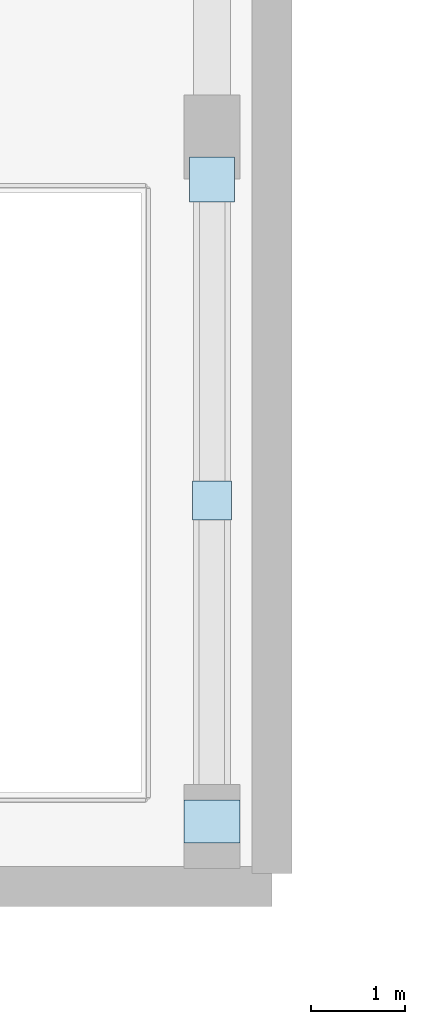
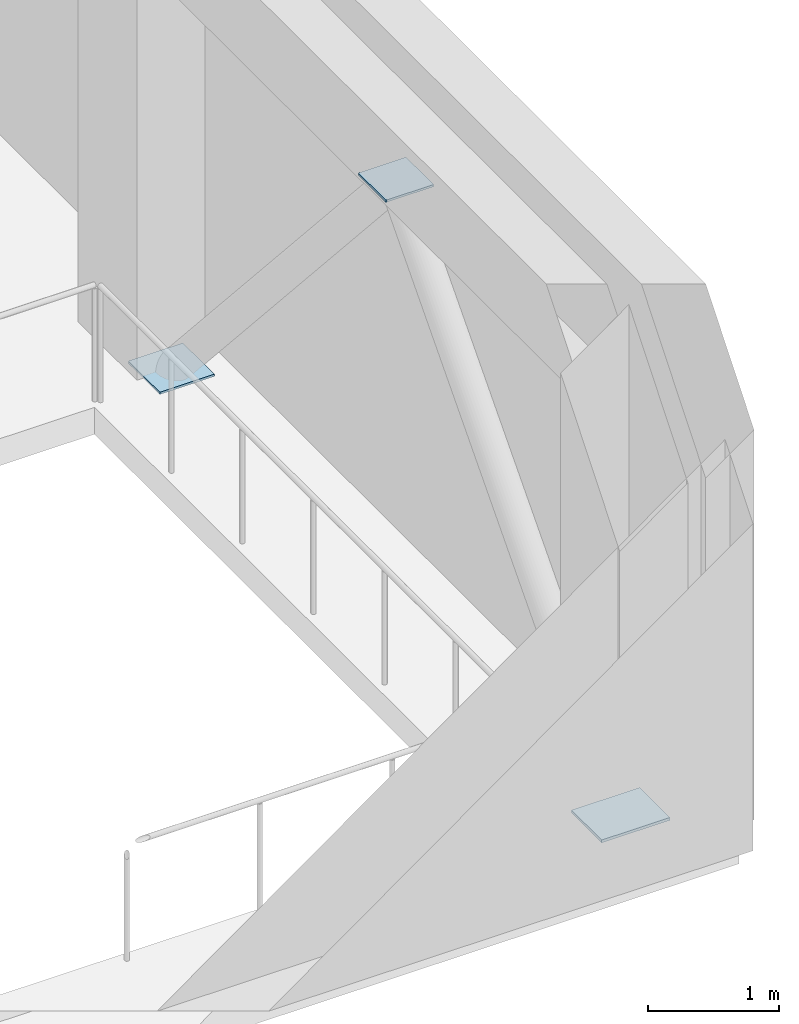
# One storey, part 37 of 64: 3 plates.
"""IFC4 building model written with IfcOpenShell, lengths in metres."""

from ifc_helpers import new_model, si_unit, direction, frame, origin, origin_2d, place, context, subcontext, project, spatial, rectangle, extrude, material, layer, layer_set, type_object, element, save


model = new_model("IFC4")

# Units and contexts
model_context = context("Model", 3, precision=1e-05, world=origin(), true_north=direction((0.0, 1.0)))
body_context = subcontext(model_context, "Body", "Model", "MODEL_VIEW")
ifc_project = project(units=[si_unit("LENGTHUNIT", "METRE"), si_unit("AREAUNIT", "SQUARE_METRE"), si_unit("VOLUMEUNIT", "CUBIC_METRE"), si_unit("PLANEANGLEUNIT", "RADIAN"), si_unit("MASSUNIT", "GRAM", prefix="KILO")], contexts=[model_context])

# Site, building, storey
site_placement = place(None, origin())
site = spatial("IfcSite", under=ifc_project, at=site_placement, CompositionType="ELEMENT")
building_placement = place(site_placement, origin())
building = spatial("IfcBuilding", under=site, at=building_placement, Name="Cinchona Park Media Centre", CompositionType="ELEMENT")
storey_placement = place(building_placement, frame((0.0, 0.0, 5.39990234375)))
storey = spatial("IfcBuildingStorey", under=building, at=storey_placement, Name="L01", CompositionType="ELEMENT", Elevation=5.39990234375)

# Plates
ifc_material_1 = material(Name="Steel S355", Category="steel")
ifc_layer_1 = layer(ifc_material_1, 0.02001953125)
ifc_layer_set_1 = layer_set([ifc_layer_1], Name="Steel S355")
plate_type_1 = type_object("IfcPlateType", Name="PLATE-GP01", PredefinedType="USERDEFINED", material=ifc_layer_set_1)
plate_1_placement = place(storey_placement, frame((45.360107421875, 106.1201171875, 3.830078125), z_axis=(0.0, 0.0, 1.0), x_axis=(1.0, 0.0, 0.0)))
element("IfcPlate", 1, at=plate_1_placement, inside=storey, type_object=plate_type_1, Name="Truss Node Gusset Plate TN2", ObjectType="GUSSET PLATE", PredefinedType="USERDEFINED", context=body_context, shape_type="SweptSolid", body=[
    extrude(rectangle(XDim=0.419921875, YDim=0.419921875, at=origin_2d()), origin(), (0.0, 0.0, 1.0), 0.02001953125),
])
ifc_material_2 = material(Name="Steel S355", Category="steel")
ifc_layer_2 = layer(ifc_material_2, 0.02197265625)
ifc_layer_set_2 = layer_set([ifc_layer_2], Name="Steel S355")
plate_type_2 = type_object("IfcPlateType", Name="PLATE-GP02", PredefinedType="USERDEFINED", material=ifc_layer_set_2)
plate_2_placement = place(storey_placement, frame((45.360107421875, 109.544921875, -0.005859375), z_axis=(0.0, 0.0, 1.0), x_axis=(1.0, 0.0, 0.0)))
element("IfcPlate", 2, at=plate_2_placement, inside=storey, type_object=plate_type_2, Name="Truss Node Gusset Plate TN2", ObjectType="GUSSET PLATE", PredefinedType="USERDEFINED", context=body_context, shape_type="SweptSolid", body=[
    extrude(rectangle(XDim=0.47998046875, YDim=0.47998046875, at=origin_2d()), origin(), (0.0, 0.0, 1.0), 0.02197265625),
])
ifc_material_3 = material(Name="Steel S355", Category="steel")
ifc_layer_3 = layer(ifc_material_3, 0.02587890625)
ifc_layer_set_3 = layer_set([ifc_layer_3], Name="Steel S355")
plate_type_3 = type_object("IfcPlateType", Name="PLATE-GP04", PredefinedType="USERDEFINED", material=ifc_layer_set_3)
plate_3_placement = place(storey_placement, frame((45.360107421875, 102.695068359375, -0.0078125), z_axis=(0.0, 0.0, 1.0), x_axis=(1.0, 0.0, 0.0)))
element("IfcPlate", 3, at=plate_3_placement, inside=storey, type_object=plate_type_3, Name="Truss Node Gusset Plate TN2", ObjectType="GUSSET PLATE", PredefinedType="USERDEFINED", context=body_context, shape_type="SweptSolid", body=[
    extrude(rectangle(XDim=0.60009765625, YDim=0.4599609375, at=origin_2d()), origin(), (0.0, 0.0, 1.0), 0.02587890625),
])

save(model, "model.ifc")
